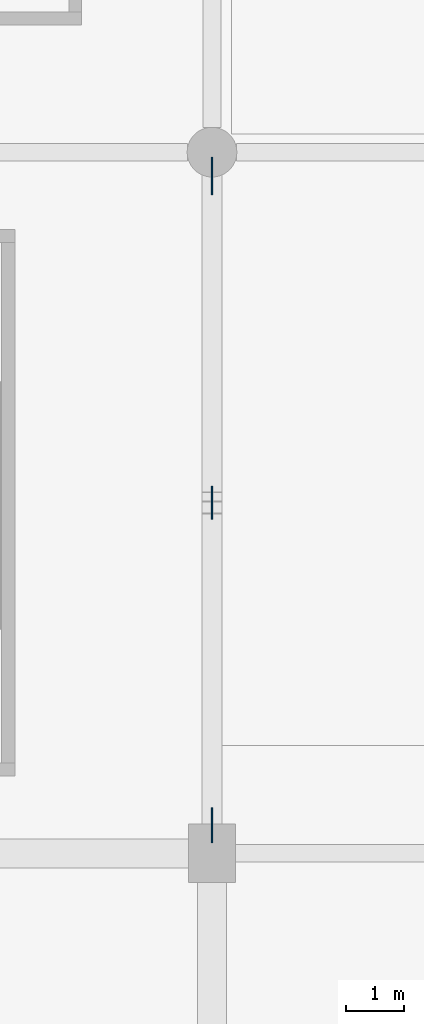
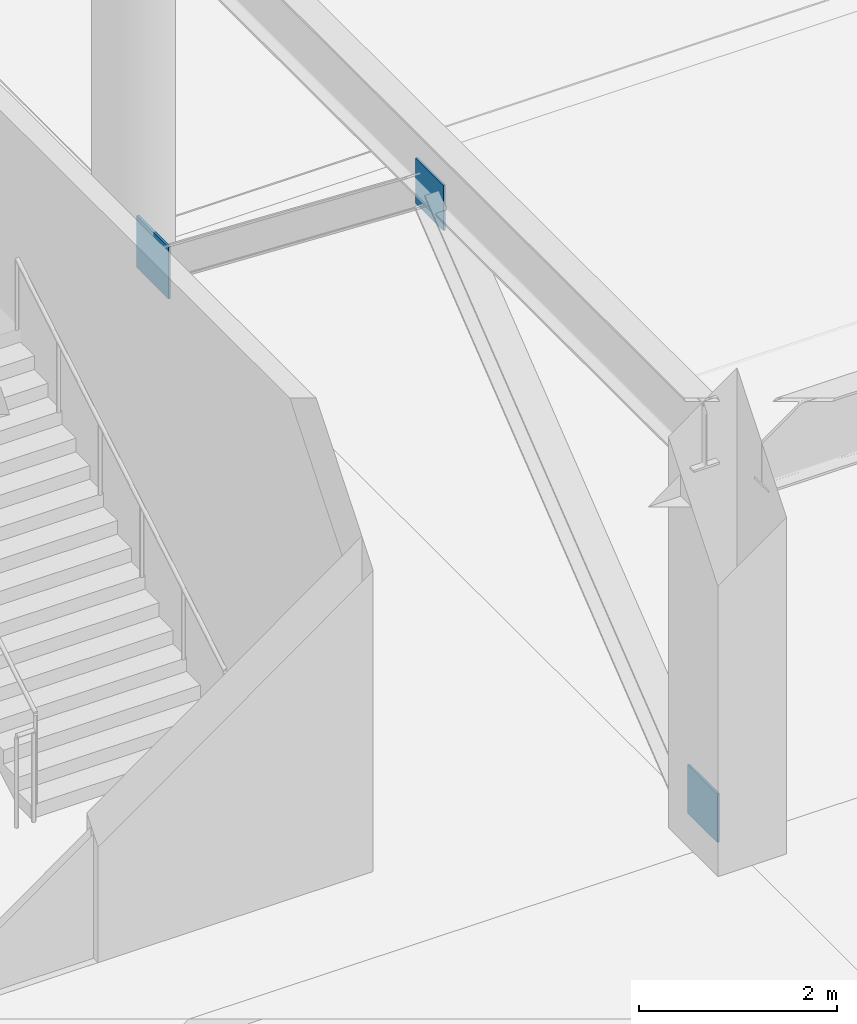
# One storey, part 13 of 69: 3 plates.
"""IFC4 building model written with IfcOpenShell, lengths in metres."""

from ifc_helpers import new_model, si_unit, direction, frame, origin, origin_2d, place, context, subcontext, project, spatial, rectangle, extrude, material, layer, layer_set, type_object, element, save


model = new_model("IFC4")

# Units and contexts
model_context = context("Model", 3, precision=1e-05, world=origin(), true_north=direction((0.0, 1.0)))
body_context = subcontext(model_context, "Body", "Model", "MODEL_VIEW")
ifc_project = project(units=[si_unit("LENGTHUNIT", "METRE"), si_unit("AREAUNIT", "SQUARE_METRE"), si_unit("VOLUMEUNIT", "CUBIC_METRE"), si_unit("PLANEANGLEUNIT", "RADIAN"), si_unit("MASSUNIT", "GRAM", prefix="KILO")], contexts=[model_context])

# Site, building, storey
site_placement = place(None, origin())
site = spatial("IfcSite", under=ifc_project, at=site_placement, CompositionType="ELEMENT")
building_placement = place(site_placement, origin())
building = spatial("IfcBuilding", under=site, at=building_placement, Name="Kazenohara Klinker Stadium", CompositionType="ELEMENT")
storey_placement = place(building_placement, origin())
storey = spatial("IfcBuildingStorey", under=building, at=storey_placement, Name="L00", CompositionType="ELEMENT", Elevation=0.0)

# Plates
ifc_material = material(Name="Steel S355", Category="steel")
ifc_layer_1 = layer(ifc_material, 0.02490234375)
ifc_layer_set_1 = layer_set([ifc_layer_1], Name="Steel S355")
plate_type_1 = type_object("IfcPlateType", Name="PLT-GP04", PredefinedType="USERDEFINED", material=ifc_layer_set_1)
plate_1_placement = place(storey_placement, frame((24.0, 102.0, 4.06005859375), z_axis=(0.0, 0.0, 1.0), x_axis=(1.0, 0.0, 0.0)))
element("IfcPlate", 1, at=plate_1_placement, inside=storey, type_object=plate_type_1, Name="Chevron brace gusset plate GP04 L00 3/J TOP", ObjectType="GUSSET PLATE", PredefinedType="USERDEFINED", context=body_context, shape_type="SweptSolid", body=[
    extrude(rectangle(XDim=0.02490234375, YDim=0.56005859375, at=origin_2d()), origin(), (0.0, 0.0, 1.0), 0.56005859375),
])
ifc_layer_2 = layer(ifc_material, 0.02587890625)
ifc_layer_set_2 = layer_set([ifc_layer_2], Name="Steel S355")
plate_type_2 = type_object("IfcPlateType", Name="PLT-GP05", PredefinedType="USERDEFINED", material=ifc_layer_set_2)
plate_2_placement = place(storey_placement, frame((24.0, 96.47998046875, -0.130126953125), z_axis=(0.0, 0.0, 1.0), x_axis=(1.0, 0.0, 0.0)))
element("IfcPlate", 2, at=plate_2_placement, inside=storey, type_object=plate_type_2, Name="Chevron brace gusset plate GP05 L00 3/J BOT-A", ObjectType="GUSSET PLATE", PredefinedType="USERDEFINED", context=body_context, shape_type="SweptSolid", body=[
    extrude(rectangle(XDim=0.02587890625, YDim=0.60009765625, at=origin_2d()), origin(), (0.0, 0.0, 1.0), 0.60009765625),
])
ifc_layer_3 = layer(ifc_material, 0.028076171875)
ifc_layer_set_3 = layer_set([ifc_layer_3], Name="Steel S355")
plate_type_3 = type_object("IfcPlateType", Name="PLT-GP06", PredefinedType="USERDEFINED", material=ifc_layer_set_3)
plate_3_placement = place(storey_placement, frame((24.0, 107.594970703125, -0.14990234375), z_axis=(0.0, 0.0, 1.0), x_axis=(1.0, 0.0, 0.0)))
element("IfcPlate", 3, at=plate_3_placement, inside=storey, type_object=plate_type_3, Name="Chevron brace gusset plate GP06 L00 3/J BOT-B", ObjectType="GUSSET PLATE", PredefinedType="USERDEFINED", context=body_context, shape_type="SweptSolid", body=[
    extrude(rectangle(XDim=0.028076171875, YDim=0.639892578125, at=origin_2d()), origin(), (0.0, 0.0, 1.0), 0.639892578125),
])

save(model, "model.ifc")
